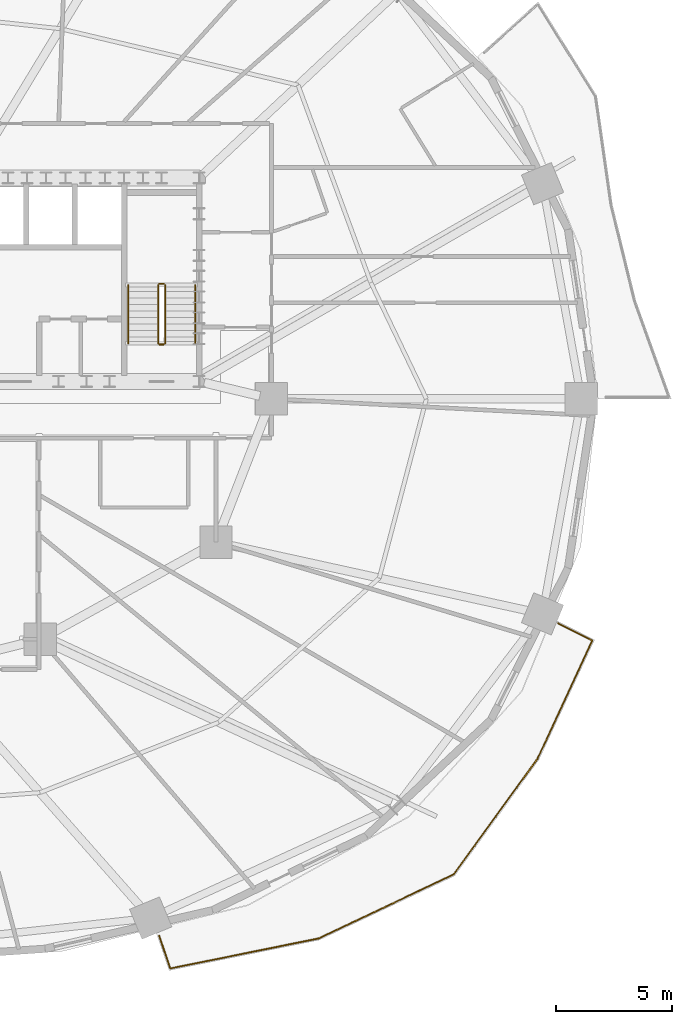
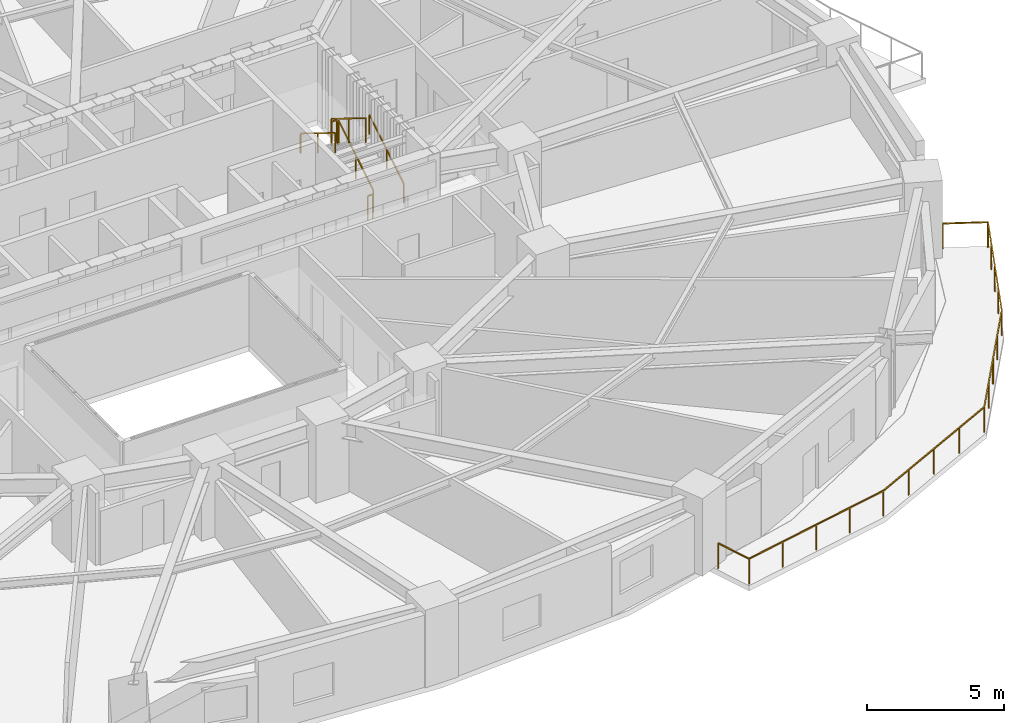
# One storey, part 17 of 18: 7 railings.
"""IFC4 building model written with IfcOpenShell, lengths in metres."""

from ifc_helpers import new_model, si_unit, direction, frame, origin, origin_2d, place, context, subcontext, project, spatial, rectangle, extrude, material, type_object, element, save


model = new_model("IFC4")

# Units and contexts
model_context = context("Model", 3, precision=1e-05, world=origin(), true_north=direction((0.0, 1.0)))
body_context = subcontext(model_context, "Body", "Model", "MODEL_VIEW")
ifc_project = project(units=[si_unit("LENGTHUNIT", "METRE"), si_unit("AREAUNIT", "SQUARE_METRE"), si_unit("VOLUMEUNIT", "CUBIC_METRE"), si_unit("PLANEANGLEUNIT", "RADIAN"), si_unit("MASSUNIT", "GRAM", prefix="KILO")], contexts=[model_context])

# Site, building, storey
site_placement = place(None, origin())
site = spatial("IfcSite", under=ifc_project, at=site_placement, CompositionType="ELEMENT")
building_placement = place(site_placement, origin())
building = spatial("IfcBuilding", under=site, at=building_placement, Name="Haldorwick Loom Tower", CompositionType="ELEMENT")
storey_placement = place(building_placement, frame((0.0, 0.0, 48.14990234375)))
storey = spatial("IfcBuildingStorey", under=building, at=storey_placement, Name="L12", CompositionType="ELEMENT", Elevation=48.14990234375)

# Railings
ifc_material_1 = material(Name="Galvanized Steel CSA G40.21 350W", Category="steel")
railing_type_1 = type_object("IfcRailingType", Name="ARC-RLG-BAL115", PredefinedType="BALUSTRADE", material=ifc_material_1)
railing_1_placement = place(storey_placement, frame((65.593994140625, 16.291748046875, 0.0)))
element("IfcRailing", 1, at=railing_1_placement, inside=storey, type_object=railing_type_1, Name="L12 Outdoor Terrace Guardrail SLB-L12-BAL_SE-1", PredefinedType="BALUSTRADE", context=body_context, shape_type="SweptSolid", body=[
    extrude(rectangle(XDim=0.048095703125, YDim=0.048095703125, at=origin_2d()), frame((0.0, 0.0, 1.1259765625), z_axis=(0.891661262254, -0.452703206744, 0.0), x_axis=(0.452703206744, 0.891661262254, 0.0)), (0.0, 0.0, 1.0), 1.65185546875),
    extrude(rectangle(XDim=0.048095703125, YDim=0.048095703125, at=origin_2d()), frame((1.472900390625, -0.747802734375, 1.1259765625), z_axis=(-0.420617836847, -0.907237915503, 0.0), x_axis=(0.907237915503, -0.420617836847, 0.0)), (0.0, 0.0, 1.0), 5.626220703125),
    extrude(rectangle(XDim=0.048095703125, YDim=0.048095703125, at=origin_2d()), frame((-0.8935546875, -5.85205078125, 1.1259765625), z_axis=(-0.586900247166, -0.809659249238, 0.0), x_axis=(0.809659249238, -0.586900247166, 0.0)), (0.0, 0.0, 1.0), 6.18017578125),
    extrude(rectangle(XDim=0.048095703125, YDim=0.048095703125, at=origin_2d()), frame((-4.520751953125, -10.85595703125, 1.1259765625), z_axis=(-0.903760901088, -0.428037654494, 0.0), x_axis=(0.428037654494, -0.903760901088, 0.0)), (0.0, 0.0, 1.0), 6.46630859375),
    extrude(rectangle(XDim=0.048095703125, YDim=0.048095703125, at=origin_2d()), frame((-10.36474609375, -13.623779296875, 1.1259765625), z_axis=(-0.980139965522, -0.198306953954, 0.0), x_axis=(0.198306953954, -0.980139965522, 0.0)), (0.0, 0.0, 1.0), 6.534912109375),
    extrude(rectangle(XDim=0.048095703125, YDim=0.048095703125, at=origin_2d()), frame((-16.769775390625, -14.919677734375, 1.1259765625), z_axis=(-0.32290577032, 0.946431119255, 0.0), x_axis=(-0.946431119255, -0.32290577032, 0.0)), (0.0, 0.0, 1.0), 1.500732421875),
    extrude(rectangle(XDim=0.0419921875, YDim=0.0419921875, at=origin_2d()), origin(), (0.0, 0.0, 1.0), 1.101806640625),
    extrude(rectangle(XDim=0.0419921875, YDim=0.0419921875, at=origin_2d()), frame((1.472900390625, -0.747802734375, 0.0)), (0.0, 0.0, 1.0), 1.101806640625),
    extrude(rectangle(XDim=0.0419921875, YDim=0.0419921875, at=origin_2d()), frame((0.88134765625, -2.02392578125, 0.0)), (0.0, 0.0, 1.0), 1.101806640625),
    extrude(rectangle(XDim=0.0419921875, YDim=0.0419921875, at=origin_2d()), frame((0.28955078125, -3.2998046875, 0.0)), (0.0, 0.0, 1.0), 1.101806640625),
    extrude(rectangle(XDim=0.0419921875, YDim=0.0419921875, at=origin_2d()), frame((-0.302001953125, -4.575927734375, 0.0)), (0.0, 0.0, 1.0), 1.101806640625),
    extrude(rectangle(XDim=0.0419921875, YDim=0.0419921875, at=origin_2d()), frame((-0.8935546875, -5.85205078125, 0.0)), (0.0, 0.0, 1.0), 1.101806640625),
    extrude(rectangle(XDim=0.0419921875, YDim=0.0419921875, at=origin_2d()), frame((-1.80029296875, -7.10302734375, 0.0)), (0.0, 0.0, 1.0), 1.101806640625),
    extrude(rectangle(XDim=0.0419921875, YDim=0.0419921875, at=origin_2d()), frame((-2.70703125, -8.35400390625, 0.0)), (0.0, 0.0, 1.0), 1.101806640625),
    extrude(rectangle(XDim=0.0419921875, YDim=0.0419921875, at=origin_2d()), frame((-3.614013671875, -9.60498046875, 0.0)), (0.0, 0.0, 1.0), 1.101806640625),
    extrude(rectangle(XDim=0.0419921875, YDim=0.0419921875, at=origin_2d()), frame((-4.520751953125, -10.85595703125, 0.0)), (0.0, 0.0, 1.0), 1.101806640625),
    extrude(rectangle(XDim=0.0419921875, YDim=0.0419921875, at=origin_2d()), frame((-5.981689453125, -11.5478515625, 0.0)), (0.0, 0.0, 1.0), 1.101806640625),
    extrude(rectangle(XDim=0.0419921875, YDim=0.0419921875, at=origin_2d()), frame((-7.44287109375, -12.23974609375, 0.0)), (0.0, 0.0, 1.0), 1.101806640625),
    extrude(rectangle(XDim=0.0419921875, YDim=0.0419921875, at=origin_2d()), frame((-8.90380859375, -12.931884765625, 0.0)), (0.0, 0.0, 1.0), 1.101806640625),
    extrude(rectangle(XDim=0.0419921875, YDim=0.0419921875, at=origin_2d()), frame((-10.36474609375, -13.623779296875, 0.0)), (0.0, 0.0, 1.0), 1.101806640625),
    extrude(rectangle(XDim=0.0419921875, YDim=0.0419921875, at=origin_2d()), frame((-11.966064453125, -13.94775390625, 0.0)), (0.0, 0.0, 1.0), 1.101806640625),
    extrude(rectangle(XDim=0.0419921875, YDim=0.0419921875, at=origin_2d()), frame((-13.5673828125, -14.271728515625, 0.0)), (0.0, 0.0, 1.0), 1.101806640625),
    extrude(rectangle(XDim=0.0419921875, YDim=0.0419921875, at=origin_2d()), frame((-15.16845703125, -14.595703125, 0.0)), (0.0, 0.0, 1.0), 1.101806640625),
    extrude(rectangle(XDim=0.0419921875, YDim=0.0419921875, at=origin_2d()), frame((-16.769775390625, -14.919677734375, 0.0)), (0.0, 0.0, 1.0), 1.101806640625),
    extrude(rectangle(XDim=0.0419921875, YDim=0.0419921875, at=origin_2d()), frame((-17.25439453125, -13.499267578125, 0.0)), (0.0, 0.0, 1.0), 1.101806640625),
])
ifc_material_2 = material(Name="Steel CSA G40.21 350W", Category="steel")
railing_type_2 = type_object("IfcRailingType", Name="ARC-RLG-GUARD112", PredefinedType="GUARDRAIL", material=ifc_material_2)
railing_2_placement = place(storey_placement, frame((48.60009765625, 28.39990234375, 0.172607421875)))
element("IfcRailing", 2, at=railing_2_placement, inside=storey, type_object=railing_type_2, Name="L12 ST-02 stair guard 1", PredefinedType="GUARDRAIL", context=body_context, shape_type="SweptSolid", body=[
    extrude(rectangle(XDim=0.048095703125, YDim=0.048095703125, at=origin_2d()), frame((0.0, 0.0, 1.076171875), z_axis=(0.0, 0.851400495292, 0.524516154772), x_axis=(-1.0, 0.0, 0.0)), (0.0, 0.0, 1.0), 2.9599609375),
    extrude(rectangle(XDim=0.0419921875, YDim=0.0419921875, at=origin_2d()), origin(), (0.0, 0.0, 1.0), 1.052001953125),
    extrude(rectangle(XDim=0.0419921875, YDim=0.0419921875, at=origin_2d()), frame((0.0, 1.260009765625, 0.7763671875)), (0.0, 0.0, 1.0), 1.052001953125),
    extrude(rectangle(XDim=0.0419921875, YDim=0.0419921875, at=origin_2d()), frame((0.0, 2.52001953125, 1.552490234375)), (0.0, 0.0, 1.0), 1.052001953125),
])
railing_3_placement = place(storey_placement, frame((48.550048828125, 30.969970703125, 1.72509765625)))
element("IfcRailing", 3, at=railing_3_placement, inside=storey, type_object=railing_type_2, Name="L12 ST-02 stair guard 2", PredefinedType="GUARDRAIL", context=body_context, shape_type="SweptSolid", body=[
    extrude(rectangle(XDim=0.048095703125, YDim=0.048095703125, at=origin_2d()), frame((0.0, 0.0, 1.076171875), z_axis=(-1.0, 0.0, 0.0), x_axis=(0.0, -1.0, 0.0)), (0.0, 0.0, 1.0), 0.199951171875),
    extrude(rectangle(XDim=0.0419921875, YDim=0.0419921875, at=origin_2d()), origin(), (0.0, 0.0, 1.0), 1.052001953125),
    extrude(rectangle(XDim=0.0419921875, YDim=0.0419921875, at=origin_2d()), frame((-0.199951171875, 0.0, 0.0)), (0.0, 0.0, 1.0), 1.052001953125),
])
railing_4_placement = place(storey_placement, frame((48.300048828125, 30.919921875, 1.897705078125)))
element("IfcRailing", 4, at=railing_4_placement, inside=storey, type_object=railing_type_2, Name="L12 ST-02 stair guard 3", PredefinedType="GUARDRAIL", context=body_context, shape_type="SweptSolid", body=[
    extrude(rectangle(XDim=0.048095703125, YDim=0.048095703125, at=origin_2d()), frame((0.0, 0.0, 1.076171875), z_axis=(0.0, -0.851400495292, 0.524516154772), x_axis=(1.0, 0.0, 0.0)), (0.0, 0.0, 1.0), 2.9599609375),
    extrude(rectangle(XDim=0.0419921875, YDim=0.0419921875, at=origin_2d()), origin(), (0.0, 0.0, 1.0), 1.052001953125),
    extrude(rectangle(XDim=0.0419921875, YDim=0.0419921875, at=origin_2d()), frame((0.0, -1.260009765625, 0.7763671875)), (0.0, 0.0, 1.0), 1.052001953125),
    extrude(rectangle(XDim=0.0419921875, YDim=0.0419921875, at=origin_2d()), frame((0.0, -2.52001953125, 1.552490234375)), (0.0, 0.0, 1.0), 1.052001953125),
])
railing_5_placement = place(storey_placement, frame((48.550048828125, 28.35009765625, 0.0)))
element("IfcRailing", 5, at=railing_5_placement, inside=storey, type_object=railing_type_2, Name="L12 ST-02 stair guard 4", PredefinedType="GUARDRAIL", context=body_context, shape_type="SweptSolid", body=[
    extrude(rectangle(XDim=0.048095703125, YDim=0.048095703125, at=origin_2d()), frame((0.0, 0.0, 1.076171875), z_axis=(-1.0, 0.0, 0.0), x_axis=(0.0, -1.0, 0.0)), (0.0, 0.0, 1.0), 0.199951171875),
    extrude(rectangle(XDim=0.0419921875, YDim=0.0419921875, at=origin_2d()), origin(), (0.0, 0.0, 1.0), 1.052001953125),
    extrude(rectangle(XDim=0.0419921875, YDim=0.0419921875, at=origin_2d()), frame((-0.199951171875, 0.0, 0.0)), (0.0, 0.0, 1.0), 1.052001953125),
])
railing_type_3 = type_object("IfcRailingType", Name="ARC-RLG-HAND092", PredefinedType="HANDRAIL", material=ifc_material_2)
railing_6_placement = place(storey_placement, frame((49.89990234375, 28.39990234375, 0.172607421875)))
element("IfcRailing", 6, at=railing_6_placement, inside=storey, type_object=railing_type_3, Name="L12 ST-02 stair handrail 1", PredefinedType="HANDRAIL", context=body_context, shape_type="SweptSolid", body=[
    extrude(rectangle(XDim=0.048095703125, YDim=0.048095703125, at=origin_2d()), frame((0.0, 0.0, 0.8759765625), z_axis=(0.0, 0.851400495292, 0.524516154772), x_axis=(-1.0, 0.0, 0.0)), (0.0, 0.0, 1.0), 2.9599609375),
    extrude(rectangle(XDim=0.0419921875, YDim=0.0419921875, at=origin_2d()), origin(), (0.0, 0.0, 1.0), 0.851806640625),
    extrude(rectangle(XDim=0.0419921875, YDim=0.0419921875, at=origin_2d()), frame((0.0, 1.260009765625, 0.7763671875)), (0.0, 0.0, 1.0), 0.851806640625),
    extrude(rectangle(XDim=0.0419921875, YDim=0.0419921875, at=origin_2d()), frame((0.0, 2.52001953125, 1.552490234375)), (0.0, 0.0, 1.0), 0.851806640625),
])
railing_7_placement = place(storey_placement, frame((47.0, 30.919921875, 1.897705078125)))
element("IfcRailing", 7, at=railing_7_placement, inside=storey, type_object=railing_type_3, Name="L12 ST-02 stair handrail 2", PredefinedType="HANDRAIL", context=body_context, shape_type="SweptSolid", body=[
    extrude(rectangle(XDim=0.048095703125, YDim=0.048095703125, at=origin_2d()), frame((0.0, 0.0, 0.8759765625), z_axis=(0.0, -0.851400495292, 0.524516154772), x_axis=(1.0, 0.0, 0.0)), (0.0, 0.0, 1.0), 2.9599609375),
    extrude(rectangle(XDim=0.0419921875, YDim=0.0419921875, at=origin_2d()), origin(), (0.0, 0.0, 1.0), 0.851806640625),
    extrude(rectangle(XDim=0.0419921875, YDim=0.0419921875, at=origin_2d()), frame((0.0, -1.260009765625, 0.7763671875)), (0.0, 0.0, 1.0), 0.851806640625),
    extrude(rectangle(XDim=0.0419921875, YDim=0.0419921875, at=origin_2d()), frame((0.0, -2.52001953125, 1.552490234375)), (0.0, 0.0, 1.0), 0.851806640625),
])

save(model, "model.ifc")
